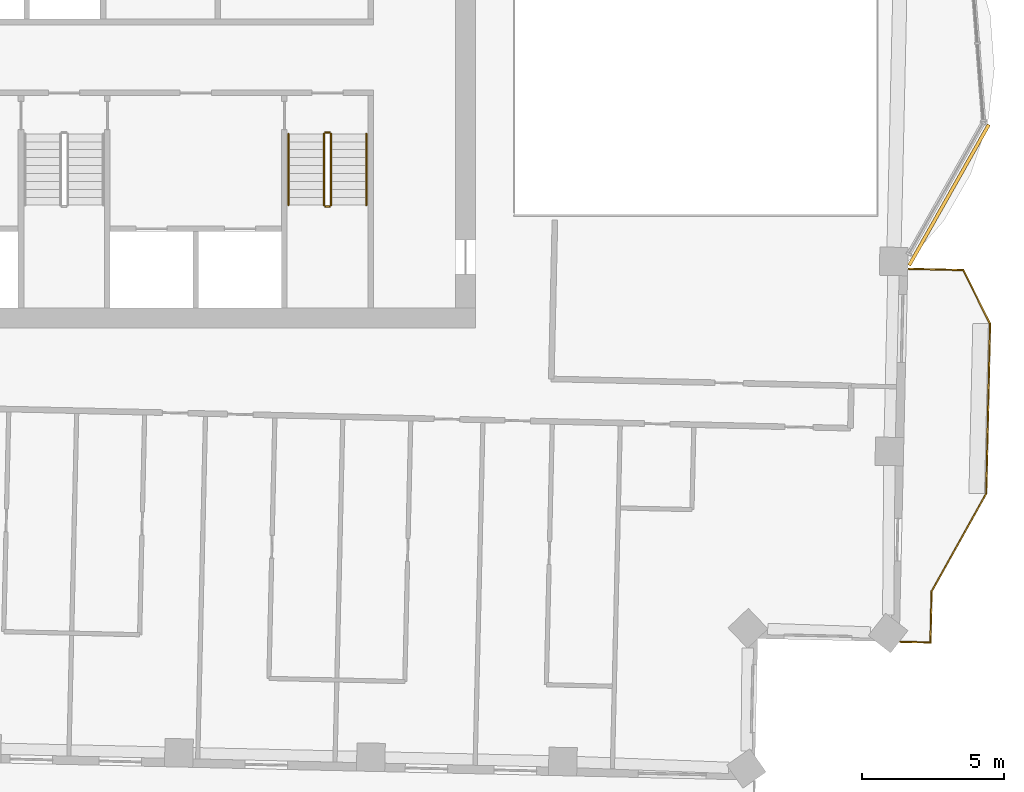
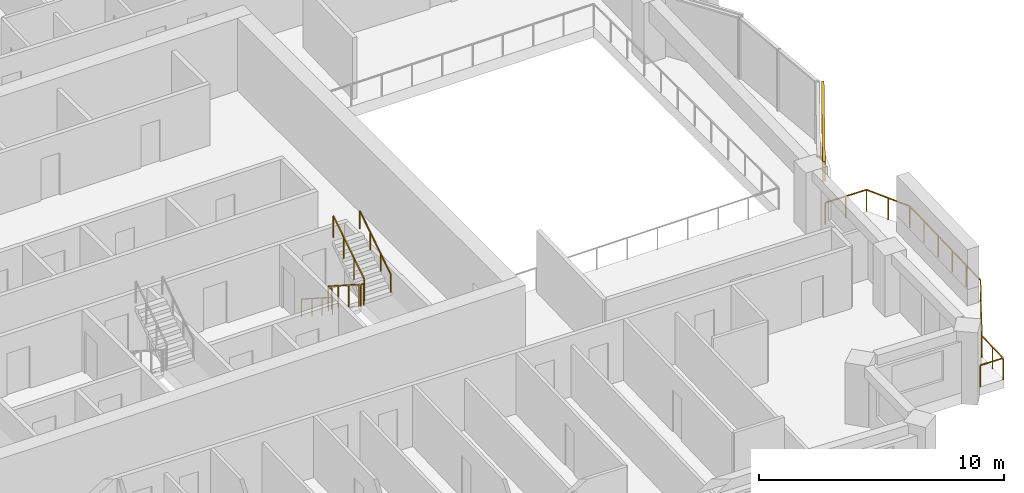
# One storey, part 16 of 17: 7 railings, 1 covering.
"""IFC4 building model written with IfcOpenShell, lengths in metres."""

from ifc_helpers import new_model, si_unit, direction, frame, frame_2d, origin, origin_2d, place, context, subcontext, project, spatial, rectangle, circle, extrude, material, layer, layer_set, type_object, element, save


model = new_model("IFC4")

# Units and contexts
model_context = context("Model", 3, precision=1e-05, world=origin(), true_north=direction((0.0, 1.0)))
body_context = subcontext(model_context, "Body", "Model", "MODEL_VIEW")
ifc_project = project(units=[si_unit("LENGTHUNIT", "METRE"), si_unit("AREAUNIT", "SQUARE_METRE"), si_unit("VOLUMEUNIT", "CUBIC_METRE"), si_unit("PLANEANGLEUNIT", "RADIAN"), si_unit("MASSUNIT", "GRAM", prefix="KILO")], contexts=[model_context])

# Site, building, storey
site_placement = place(None, origin())
site = spatial("IfcSite", under=ifc_project, at=site_placement, CompositionType="ELEMENT")
building_placement = place(site_placement, origin())
building = spatial("IfcBuilding", under=site, at=building_placement, Name="Mangrove Gate Tower", CompositionType="ELEMENT")
storey_placement = place(building_placement, frame((0.0, 0.0, 271.699951171875)))
storey = spatial("IfcBuildingStorey", under=building, at=storey_placement, Name="L69", CompositionType="ELEMENT", Elevation=271.699951171875)

# Railings
ifc_material_1 = material(Name="Stainless steel grade 316 with laminated glass infill", Category="steel")
railing_type_1 = type_object("IfcRailingType", Name="Balcony guard 1100", PredefinedType="GUARDRAIL", material=ifc_material_1)
railing_1_placement = place(storey_placement, frame((29.508056640625, -22.589111328125, 0.0)))
element("IfcRailing", 1, at=railing_1_placement, inside=storey, type_object=railing_type_1, Name="GUARD L69 E1", PredefinedType="GUARDRAIL", context=body_context, shape_type="SweptSolid", body=[
    extrude(rectangle(XDim=0.048095703125, YDim=0.048095703125, at=origin_2d()), frame((0.0, 0.0, 1.076171875), z_axis=(0.999745389313, -0.022564497502, 0.0), x_axis=(0.022564497502, 0.999745389313, 0.0)), (0.0, 0.0, 1.0), 1.060302734375),
    extrude(rectangle(XDim=0.048095703125, YDim=0.048095703125, at=origin_2d()), frame((1.06005859375, -0.02392578125, 1.076171875), z_axis=(0.02264440232, 0.999743582647, 0.0), x_axis=(-0.999743582647, 0.02264440232, 0.0)), (0.0, 0.0, 1.0), 1.800537109375),
    extrude(rectangle(XDim=0.048095703125, YDim=0.048095703125, at=origin_2d()), frame((1.100830078125, 1.776123046875, 1.076171875), z_axis=(0.487307108654, 0.873230657876, 0.0), x_axis=(-0.873230657876, 0.487307108654, 0.0)), (0.0, 0.0, 1.0), 3.958984375),
    extrude(rectangle(XDim=0.048095703125, YDim=0.048095703125, at=origin_2d()), frame((3.030029296875, 5.233154296875, 1.076171875), z_axis=(0.022662255828, 0.999743178102, 0.0), x_axis=(-0.999743178102, 0.022662255828, 0.0)), (0.0, 0.0, 1.0), 6.00048828125),
    extrude(rectangle(XDim=0.048095703125, YDim=0.048095703125, at=origin_2d()), frame((3.166015625, 11.232177734375, 1.076171875), z_axis=(-0.4472135955, 0.894427191, 0.0), x_axis=(-0.894427191, -0.4472135955, 0.0)), (0.0, 0.0, 1.0), 2.119873046875),
    extrude(rectangle(XDim=0.048095703125, YDim=0.048095703125, at=origin_2d()), frame((2.218017578125, 13.128173828125, 1.076171875), z_axis=(-0.999737947273, 0.022891849702, 0.0), x_axis=(-0.022891849702, -0.999737947273, 0.0)), (0.0, 0.0, 1.0), 1.919677734375),
    extrude(rectangle(XDim=0.0419921875, YDim=0.0419921875, at=origin_2d()), origin(), (0.0, 0.0, 1.0), 1.052001953125),
    extrude(rectangle(XDim=0.0419921875, YDim=0.0419921875, at=origin_2d()), frame((1.06005859375, -0.02392578125, 0.0)), (0.0, 0.0, 1.0), 1.052001953125),
    extrude(rectangle(XDim=0.0419921875, YDim=0.0419921875, at=origin_2d()), frame((1.08056640625, 0.8759765625, 0.0)), (0.0, 0.0, 1.0), 1.052001953125),
    extrude(rectangle(XDim=0.0419921875, YDim=0.0419921875, at=origin_2d()), frame((1.100830078125, 1.776123046875, 0.0)), (0.0, 0.0, 1.0), 1.052001953125),
    extrude(rectangle(XDim=0.0419921875, YDim=0.0419921875, at=origin_2d()), frame((1.743896484375, 2.928466796875, 0.0)), (0.0, 0.0, 1.0), 1.052001953125),
    extrude(rectangle(XDim=0.0419921875, YDim=0.0419921875, at=origin_2d()), frame((2.386962890625, 4.080810546875, 0.0)), (0.0, 0.0, 1.0), 1.052001953125),
    extrude(rectangle(XDim=0.0419921875, YDim=0.0419921875, at=origin_2d()), frame((3.030029296875, 5.233154296875, 0.0)), (0.0, 0.0, 1.0), 1.052001953125),
    extrude(rectangle(XDim=0.0419921875, YDim=0.0419921875, at=origin_2d()), frame((3.05712890625, 6.432861328125, 0.0)), (0.0, 0.0, 1.0), 1.052001953125),
    extrude(rectangle(XDim=0.0419921875, YDim=0.0419921875, at=origin_2d()), frame((3.08447265625, 7.6328125, 0.0)), (0.0, 0.0, 1.0), 1.052001953125),
    extrude(rectangle(XDim=0.0419921875, YDim=0.0419921875, at=origin_2d()), frame((3.111572265625, 8.83251953125, 0.0)), (0.0, 0.0, 1.0), 1.052001953125),
    extrude(rectangle(XDim=0.0419921875, YDim=0.0419921875, at=origin_2d()), frame((3.138916015625, 10.032470703125, 0.0)), (0.0, 0.0, 1.0), 1.052001953125),
    extrude(rectangle(XDim=0.0419921875, YDim=0.0419921875, at=origin_2d()), frame((3.166015625, 11.232177734375, 0.0)), (0.0, 0.0, 1.0), 1.052001953125),
    extrude(rectangle(XDim=0.0419921875, YDim=0.0419921875, at=origin_2d()), frame((2.69189453125, 12.18017578125, 0.0)), (0.0, 0.0, 1.0), 1.052001953125),
    extrude(rectangle(XDim=0.0419921875, YDim=0.0419921875, at=origin_2d()), frame((2.218017578125, 13.128173828125, 0.0)), (0.0, 0.0, 1.0), 1.052001953125),
    extrude(rectangle(XDim=0.0419921875, YDim=0.0419921875, at=origin_2d()), frame((1.25830078125, 13.150146484375, 0.0)), (0.0, 0.0, 1.0), 1.052001953125),
    extrude(rectangle(XDim=0.0419921875, YDim=0.0419921875, at=origin_2d()), frame((0.298828125, 13.172119140625, 0.0)), (0.0, 0.0, 1.0), 1.052001953125),
])
ifc_material_2 = material(Name="Stainless steel 316", Category="steel")
railing_type_2 = type_object("IfcRailingType", Name="Core stair guard 1100", PredefinedType="GUARDRAIL", material=ifc_material_2)
railing_2_placement = place(storey_placement, frame((9.14990234375, -4.64990234375, 0.179931640625)))
element("IfcRailing", 2, at=railing_2_placement, inside=storey, type_object=railing_type_2, Name="L69 ST3 stair guard 1", PredefinedType="GUARDRAIL", context=body_context, shape_type="SweptSolid", body=[
    extrude(rectangle(XDim=0.048095703125, YDim=0.048095703125, at=origin_2d()), frame((0.0, 0.0, 1.076171875), z_axis=(0.0, -0.841162588446, 0.540782303519), x_axis=(1.0, 0.0, 0.0)), (0.0, 0.0, 1.0), 2.995849609375),
    extrude(rectangle(XDim=0.0419921875, YDim=0.0419921875, at=origin_2d()), origin(), (0.0, 0.0, 1.0), 1.052001953125),
    extrude(rectangle(XDim=0.0419921875, YDim=0.0419921875, at=origin_2d()), frame((0.0, -0.840087890625, 0.5400390625)), (0.0, 0.0, 1.0), 1.052001953125),
    extrude(rectangle(XDim=0.0419921875, YDim=0.0419921875, at=origin_2d()), frame((0.0, -1.679931640625, 1.080078125)), (0.0, 0.0, 1.0), 1.052001953125),
    extrude(rectangle(XDim=0.0419921875, YDim=0.0419921875, at=origin_2d()), frame((0.0, -2.52001953125, 1.6201171875)), (0.0, 0.0, 1.0), 1.052001953125),
])
railing_3_placement = place(storey_placement, frame((9.199951171875, -7.219970703125, 1.800048828125)))
element("IfcRailing", 3, at=railing_3_placement, inside=storey, type_object=railing_type_2, Name="L69 ST3 stair guard 2", PredefinedType="GUARDRAIL", context=body_context, shape_type="SweptSolid", body=[
    extrude(rectangle(XDim=0.048095703125, YDim=0.048095703125, at=origin_2d()), frame((0.0, 0.0, 1.076171875), z_axis=(1.0, 0.0, 0.0), x_axis=(0.0, 1.0, 0.0)), (0.0, 0.0, 1.0), 0.150146484375),
    extrude(rectangle(XDim=0.0419921875, YDim=0.0419921875, at=origin_2d()), origin(), (0.0, 0.0, 1.0), 1.052001953125),
    extrude(rectangle(XDim=0.0419921875, YDim=0.0419921875, at=origin_2d()), frame((0.150146484375, 0.0, 0.0)), (0.0, 0.0, 1.0), 1.052001953125),
])
railing_4_placement = place(storey_placement, frame((9.39990234375, -7.169921875, 1.97998046875)))
element("IfcRailing", 4, at=railing_4_placement, inside=storey, type_object=railing_type_2, Name="L69 ST3 stair guard 3", PredefinedType="GUARDRAIL", context=body_context, shape_type="SweptSolid", body=[
    extrude(rectangle(XDim=0.048095703125, YDim=0.048095703125, at=origin_2d()), frame((0.0, 0.0, 1.076171875), z_axis=(0.0, 0.841162588446, 0.540782303519), x_axis=(-1.0, 0.0, 0.0)), (0.0, 0.0, 1.0), 2.995849609375),
    extrude(rectangle(XDim=0.0419921875, YDim=0.0419921875, at=origin_2d()), origin(), (0.0, 0.0, 1.0), 1.052001953125),
    extrude(rectangle(XDim=0.0419921875, YDim=0.0419921875, at=origin_2d()), frame((0.0, 0.840087890625, 0.5400390625)), (0.0, 0.0, 1.0), 1.052001953125),
    extrude(rectangle(XDim=0.0419921875, YDim=0.0419921875, at=origin_2d()), frame((0.0, 1.679931640625, 1.080078125)), (0.0, 0.0, 1.0), 1.052001953125),
    extrude(rectangle(XDim=0.0419921875, YDim=0.0419921875, at=origin_2d()), frame((0.0, 2.52001953125, 1.6201171875)), (0.0, 0.0, 1.0), 1.052001953125),
])
railing_5_placement = place(storey_placement, frame((9.199951171875, -4.60009765625, 0.0)))
element("IfcRailing", 5, at=railing_5_placement, inside=storey, type_object=railing_type_2, Name="L69 ST3 stair guard 4", PredefinedType="GUARDRAIL", context=body_context, shape_type="SweptSolid", body=[
    extrude(rectangle(XDim=0.048095703125, YDim=0.048095703125, at=origin_2d()), frame((0.0, 0.0, 1.076171875), z_axis=(1.0, 0.0, 0.0), x_axis=(0.0, 1.0, 0.0)), (0.0, 0.0, 1.0), 0.150146484375),
    extrude(rectangle(XDim=0.0419921875, YDim=0.0419921875, at=origin_2d()), origin(), (0.0, 0.0, 1.0), 1.052001953125),
    extrude(rectangle(XDim=0.0419921875, YDim=0.0419921875, at=origin_2d()), frame((0.150146484375, 0.0, 0.0)), (0.0, 0.0, 1.0), 1.052001953125),
])
ifc_material_3 = material(Name="Stainless steel 316", Category="steel")
railing_type_3 = type_object("IfcRailingType", Name="Core stair handrail 900", PredefinedType="HANDRAIL", material=ifc_material_3)
railing_6_placement = place(storey_placement, frame((7.89990234375, -4.64990234375, 0.179931640625)))
element("IfcRailing", 6, at=railing_6_placement, inside=storey, type_object=railing_type_3, Name="L69 ST3 stair handrail 1", PredefinedType="HANDRAIL", context=body_context, shape_type="SweptSolid", body=[
    extrude(circle(Radius=0.02392578125, at=origin_2d()), frame((0.0, 0.0, 0.8759765625), z_axis=(0.0, -0.841162588446, 0.540782303519), x_axis=(1.0, 0.0, 0.0)), (0.0, 0.0, 1.0), 2.995849609375),
    extrude(circle(Radius=0.02099609375, at=origin_2d()), origin(), (0.0, 0.0, 1.0), 0.851806640625),
    extrude(circle(Radius=0.02099609375, at=origin_2d()), frame((0.0, -0.840087890625, 0.5400390625)), (0.0, 0.0, 1.0), 0.851806640625),
    extrude(circle(Radius=0.02099609375, at=origin_2d()), frame((0.0, -1.679931640625, 1.080078125)), (0.0, 0.0, 1.0), 0.851806640625),
    extrude(circle(Radius=0.02099609375, at=origin_2d()), frame((0.0, -2.52001953125, 1.6201171875)), (0.0, 0.0, 1.0), 0.851806640625),
])
railing_7_placement = place(storey_placement, frame((10.64990234375, -7.169921875, 1.97998046875)))
element("IfcRailing", 7, at=railing_7_placement, inside=storey, type_object=railing_type_3, Name="L69 ST3 stair handrail 2", PredefinedType="HANDRAIL", context=body_context, shape_type="SweptSolid", body=[
    extrude(circle(Radius=0.02392578125, at=origin_2d()), frame((0.0, 0.0, 0.8759765625), z_axis=(0.0, 0.841162588446, 0.540782303519), x_axis=(-1.0, 0.0, 0.0)), (0.0, 0.0, 1.0), 2.995849609375),
    extrude(circle(Radius=0.02099609375, at=origin_2d()), origin(), (0.0, 0.0, 1.0), 0.851806640625),
    extrude(circle(Radius=0.02099609375, at=origin_2d()), frame((0.0, 0.840087890625, 0.5400390625)), (0.0, 0.0, 1.0), 0.851806640625),
    extrude(circle(Radius=0.02099609375, at=origin_2d()), frame((0.0, 1.679931640625, 1.080078125)), (0.0, 0.0, 1.0), 0.851806640625),
    extrude(circle(Radius=0.02099609375, at=origin_2d()), frame((0.0, 2.52001953125, 1.6201171875)), (0.0, 0.0, 1.0), 0.851806640625),
])

# Covering
ifc_material_4 = material(Name="Limestone", Category="masonry")
ifc_layer_1 = layer(ifc_material_4, 0.0400390625, Name="Limestone cladding")
ifc_material_5 = material(Name="Stainless steel anchors and cavity", Category="steel")
ifc_layer_2 = layer(ifc_material_5, 0.080078125, Name="Fixing cavity")
ifc_layer_set = layer_set([ifc_layer_1, ifc_layer_2], Name="Joint fascia cladding 120")
covering_type = type_object("IfcCoveringType", Name="Joint fascia cladding 120", PredefinedType="CLADDING", material=ifc_layer_set)
covering_placement = place(storey_placement, frame((29.820068359375, -9.29296875, 2.050048828125), z_axis=(0.0, 0.0, 1.0), x_axis=(0.492443523438, 0.870344400926, 0.0)))
element("IfcCovering", 8, at=covering_placement, inside=storey, type_object=covering_type, Name="STONE FASCIA L69 E1.L1", PredefinedType="CLADDING", context=body_context, shape_type="SweptSolid", body=[
    extrude(rectangle(XDim=5.705810546875, YDim=0.1201171875, at=frame_2d((2.85302734375, 0.0))), origin(), (0.0, 0.0, 1.0), 1.0),
])

save(model, "model.ifc")
